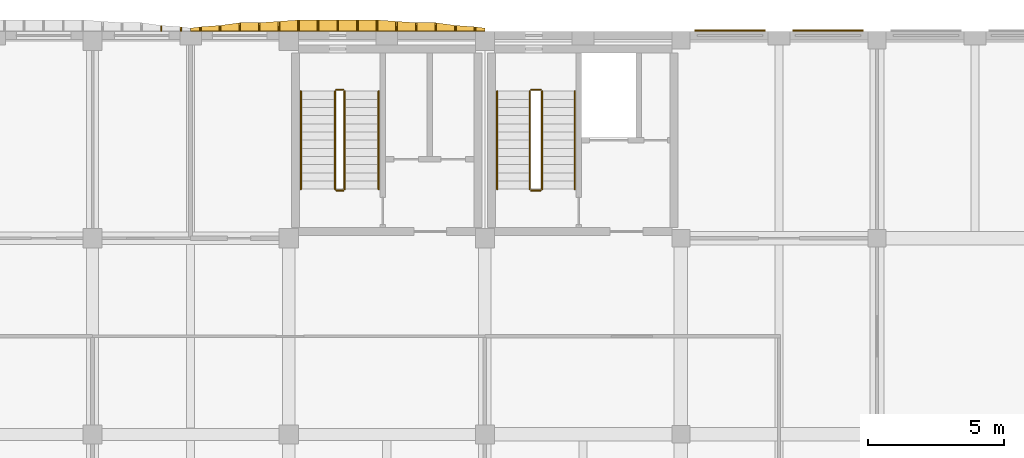
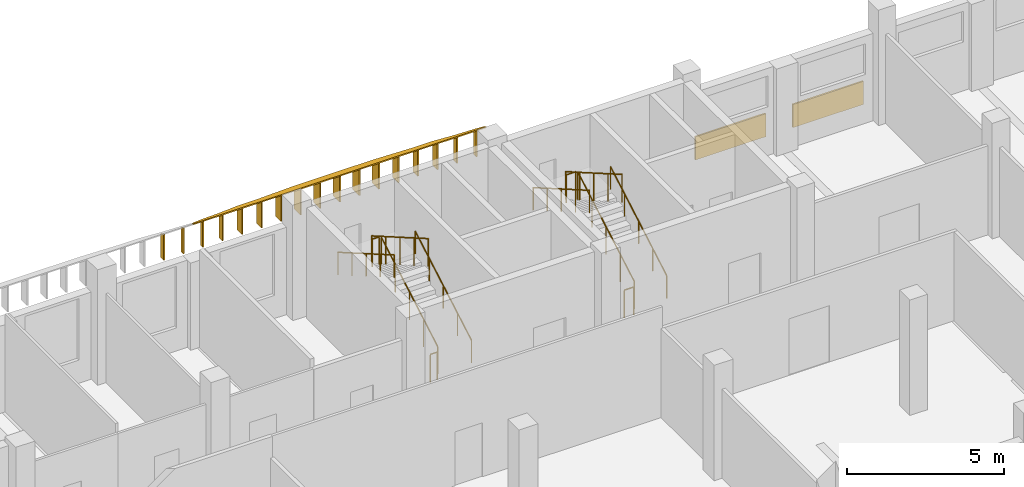
# One storey, part 55 of 59: 20 shading devices, 12 railings.
"""IFC4 building model written with IfcOpenShell, lengths in metres."""

from ifc_helpers import new_model, si_unit, direction, frame, origin, origin_2d, place, context, subcontext, project, spatial, polyline, rectangle, circle, outline, extrude, material, layer, layer_set, type_object, element, save


model = new_model("IFC4")

# Units and contexts
model_context = context("Model", 3, precision=1e-05, world=origin(), true_north=direction((0.0, 1.0)))
body_context = subcontext(model_context, "Body", "Model", "MODEL_VIEW")
ifc_project = project(units=[si_unit("LENGTHUNIT", "METRE"), si_unit("AREAUNIT", "SQUARE_METRE"), si_unit("VOLUMEUNIT", "CUBIC_METRE"), si_unit("PLANEANGLEUNIT", "RADIAN"), si_unit("MASSUNIT", "GRAM", prefix="KILO")], contexts=[model_context])

# Site, building, storey
site_placement = place(None, origin())
site = spatial("IfcSite", under=ifc_project, at=site_placement, CompositionType="ELEMENT")
building_placement = place(site_placement, origin())
building = spatial("IfcBuilding", under=site, at=building_placement, Name="Ussher Court Research Institute", CompositionType="ELEMENT")
storey_placement = place(building_placement, frame((0.0, 0.0, 5.39990234375)))
storey = spatial("IfcBuildingStorey", under=building, at=storey_placement, Name="L01", CompositionType="ELEMENT", Elevation=5.39990234375)

# Shading devices
ifc_material_1 = material(Name="Bronze anodised aluminium", Category="aluminium")
ifc_layer_1 = layer(ifc_material_1, 0.050048828125)
ifc_layer_set_1 = layer_set([ifc_layer_1], Name="Bronze anodised aluminium")
shading_device_type_1 = type_object("IfcShadingDeviceType", Name="Brim blade 150 mm deep 1000 mm high canted 20 deg dry", PredefinedType="USERDEFINED", material=ifc_layer_set_1)
for number, where, z_axis, x_axis, name in (
    (1, (71.0400390625, 90.800048828125, 3.4501953125), (0.0, 0.0, 1.0), (0.0, 1.0, 0.0), "Brim blade BS16 L01"),
    (2, (71.760009765625, 90.800048828125, 3.4501953125), (0.0, 0.0, 1.0), (0.0, 1.0, 0.0), "Brim blade BS16 L01"),
    (3, (81.840087890625, 90.800048828125, 3.4501953125), (0.0, 0.0, 1.0), (0.0, 1.0, 0.0), "Brim blade BS16 L01"),
):
    element("IfcShadingDevice", number, at=place(storey_placement, frame(where, z_axis=z_axis, x_axis=x_axis)), inside=storey, type_object=shading_device_type_1, Name=name, ObjectType="BLADE", PredefinedType="USERDEFINED", context=body_context, shape_type="SweptSolid", body=[
        extrude(outline(polyline([(0.0, 0.0), (0.14990234375, 0.0), (0.14990234375, 0.9453125), (0.0, 1.0), (0.0, 0.0)])), frame((0.0, 0.02490234375, 0.0), z_axis=(0.0, -1.0, 0.0), x_axis=(1.0, 0.0, 0.0)), (0.0, 0.0, 1.0), 0.050048828125),
    ])
ifc_material_2 = material(Name="Bronze anodised aluminium", Category="aluminium")
ifc_layer_2 = layer(ifc_material_2, 0.050048828125)
ifc_layer_set_2 = layer_set([ifc_layer_2], Name="Bronze anodised aluminium")
shading_device_type_2 = type_object("IfcShadingDeviceType", Name="Brim blade 200 mm deep 1000 mm high canted 20 deg dry", PredefinedType="USERDEFINED", material=ifc_layer_set_2)
for number, where, z_axis, x_axis, name in (
    (4, (70.320068359375, 90.800048828125, 3.4501953125), (0.0, 0.0, 1.0), (0.0, 1.0, 0.0), "Brim blade BS15 L01"),
    (5, (72.47998046875, 90.800048828125, 3.4501953125), (0.0, 0.0, 1.0), (0.0, 1.0, 0.0), "Brim blade BS15 L01"),
    (6, (81.1201171875, 90.800048828125, 3.4501953125), (0.0, 0.0, 1.0), (0.0, 1.0, 0.0), "Brim blade BS15 L01"),
):
    element("IfcShadingDevice", number, at=place(storey_placement, frame(where, z_axis=z_axis, x_axis=x_axis)), inside=storey, type_object=shading_device_type_2, Name=name, ObjectType="BLADE", PredefinedType="USERDEFINED", context=body_context, shape_type="SweptSolid", body=[
        extrude(outline(polyline([(0.0, 0.0), (0.199951171875, 0.0), (0.199951171875, 0.927001953125), (0.0, 1.0), (0.0, 0.0)])), frame((0.0, 0.02490234375, 0.0), z_axis=(0.0, -1.0, 0.0), x_axis=(1.0, 0.0, 0.0)), (0.0, 0.0, 1.0), 0.050048828125),
    ])
ifc_material_3 = material(Name="Bronze anodised aluminium", Category="aluminium")
ifc_layer_3 = layer(ifc_material_3, 0.050048828125)
ifc_layer_set_3 = layer_set([ifc_layer_3], Name="Bronze anodised aluminium")
shading_device_type_3 = type_object("IfcShadingDeviceType", Name="Brim blade 300 mm deep 1000 mm high canted 20 deg dry", PredefinedType="USERDEFINED", material=ifc_layer_set_3)
for number, where, z_axis, x_axis, name in (
    (7, (73.199951171875, 90.800048828125, 3.4501953125), (0.0, 0.0, 1.0), (0.0, 1.0, 0.0), "Brim blade BS13 L01"),
    (8, (73.919921875, 90.800048828125, 3.4501953125), (0.0, 0.0, 1.0), (0.0, 1.0, 0.0), "Brim blade BS13 L01"),
    (9, (79.679931640625, 90.800048828125, 3.4501953125), (0.0, 0.0, 1.0), (0.0, 1.0, 0.0), "Brim blade BS13 L01"),
    (10, (80.39990234375, 90.800048828125, 3.4501953125), (0.0, 0.0, 1.0), (0.0, 1.0, 0.0), "Brim blade BS13 L01"),
):
    element("IfcShadingDevice", number, at=place(storey_placement, frame(where, z_axis=z_axis, x_axis=x_axis)), inside=storey, type_object=shading_device_type_3, Name=name, ObjectType="BLADE", PredefinedType="USERDEFINED", context=body_context, shape_type="SweptSolid", body=[
        extrude(outline(polyline([(0.0, 0.0), (0.300048828125, 0.0), (0.300048828125, 0.890625), (0.0, 1.0), (0.0, 0.0)])), frame((0.0, 0.02490234375, 0.0), z_axis=(0.0, -1.0, 0.0), x_axis=(1.0, 0.0, 0.0)), (0.0, 0.0, 1.0), 0.050048828125),
    ])
ifc_material_4 = material(Name="Bronze anodised aluminium", Category="aluminium")
ifc_layer_4 = layer(ifc_material_4, 0.050048828125)
ifc_layer_set_4 = layer_set([ifc_layer_4], Name="Bronze anodised aluminium")
shading_device_type_4 = type_object("IfcShadingDeviceType", Name="Brim blade 350 mm deep 1000 mm high canted 20 deg dry", PredefinedType="USERDEFINED", material=ifc_layer_set_4)
for number, where, z_axis, x_axis, name in (
    (11, (74.639892578125, 90.800048828125, 3.4501953125), (0.0, 0.0, 1.0), (0.0, 1.0, 0.0), "Brim blade BS12 L01"),
    (12, (78.9599609375, 90.800048828125, 3.4501953125), (0.0, 0.0, 1.0), (0.0, 1.0, 0.0), "Brim blade BS12 L01"),
):
    element("IfcShadingDevice", number, at=place(storey_placement, frame(where, z_axis=z_axis, x_axis=x_axis)), inside=storey, type_object=shading_device_type_4, Name=name, ObjectType="BLADE", PredefinedType="USERDEFINED", context=body_context, shape_type="SweptSolid", body=[
        extrude(outline(polyline([(0.0, 0.0), (0.349853515625, 0.0), (0.35009765625, 0.87255859375), (0.0, 1.0), (0.0, 0.0)])), frame((0.0, 0.02490234375, 0.0), z_axis=(0.0, -1.0, 0.0), x_axis=(1.0, 0.0, 0.0)), (0.0, 0.0, 1.0), 0.050048828125),
    ])
ifc_material_5 = material(Name="Bronze anodised aluminium", Category="aluminium")
ifc_layer_5 = layer(ifc_material_5, 0.050048828125)
ifc_layer_set_5 = layer_set([ifc_layer_5], Name="Bronze anodised aluminium")
shading_device_type_5 = type_object("IfcShadingDeviceType", Name="Brim blade 400 mm deep 1000 mm high canted 20 deg dry", PredefinedType="USERDEFINED", material=ifc_layer_set_5)
for number, where, z_axis, x_axis, name in (
    (13, (75.360107421875, 90.800048828125, 3.4501953125), (0.0, 0.0, 1.0), (0.0, 1.0, 0.0), "Brim blade BS11 L01"),
    (14, (76.080078125, 90.800048828125, 3.4501953125), (0.0, 0.0, 1.0), (0.0, 1.0, 0.0), "Brim blade BS11 L01"),
    (15, (76.800048828125, 90.800048828125, 3.4501953125), (0.0, 0.0, 1.0), (0.0, 1.0, 0.0), "Brim blade BS11 L01"),
    (16, (77.52001953125, 90.800048828125, 3.4501953125), (0.0, 0.0, 1.0), (0.0, 1.0, 0.0), "Brim blade BS11 L01"),
    (17, (78.239990234375, 90.800048828125, 3.4501953125), (0.0, 0.0, 1.0), (0.0, 1.0, 0.0), "Brim blade BS11 L01"),
):
    element("IfcShadingDevice", number, at=place(storey_placement, frame(where, z_axis=z_axis, x_axis=x_axis)), inside=storey, type_object=shading_device_type_5, Name=name, ObjectType="BLADE", PredefinedType="USERDEFINED", context=body_context, shape_type="SweptSolid", body=[
        extrude(outline(polyline([(0.0, 0.0), (0.39990234375, 0.0), (0.39990234375, 0.854248046875), (0.0, 1.0), (0.0, 0.0)])), frame((0.0, 0.02490234375, 0.0), z_axis=(0.0, -1.0, 0.0), x_axis=(1.0, 0.0, 0.0)), (0.0, 0.0, 1.0), 0.050048828125),
    ])
ifc_material_6 = material(Name="Bronze anodised aluminium", Category="aluminium")
ifc_layer_6 = layer(ifc_material_6, 0.0400390625)
ifc_layer_set_6 = layer_set([ifc_layer_6], Name="Bronze anodised aluminium")
shading_device_type_6 = type_object("IfcShadingDeviceType", Name="Brim visor sheet 40 mm canted 20 deg dry", PredefinedType="USERDEFINED", material=ifc_layer_set_6)
shading_device_placement = place(storey_placement, frame((71.39990234375, 90.813720703125, 4.48779296875), z_axis=(0.0, 0.342437439102, 0.939540632597), x_axis=(1.0, 0.0, 0.0)))
element("IfcShadingDevice", 18, at=shading_device_placement, inside=storey, type_object=shading_device_type_6, Name="Brim visor sheet BR2 L01", ObjectType="BRIM", PredefinedType="USERDEFINED", context=body_context, shape_type="SweptSolid", body=[
    extrude(outline(polyline([(0.0, 0.0), (10.800048828125, 0.0), (10.800048828125, 0.1065026459450868), (10.440185546875, 0.15956639032557793), (9.72021484375, 0.21285951474332424), (9.0, 0.319362160688411), (8.280029296875, 0.319362160688411), (7.56005859375, 0.3725716822157515), (6.840087890625, 0.42563542659624265), (6.1201171875, 0.42563542659624265), (5.400146484375, 0.42563542659624265), (4.68017578125, 0.42563542659624265), (3.960205078125, 0.42563542659624265), (3.239990234375, 0.3725716822157515), (2.52001953125, 0.319362160688411), (1.800048828125, 0.319362160688411), (1.080078125, 0.21285951474332424), (0.360107421875, 0.15956639032557793), (0.0, 0.1065026459450868), (0.0, 0.0)])), origin(), (0.0, 0.0, -1.0), 0.0400390625),
])
ifc_material_7 = material(Name="Aluminium louvre", Category="aluminium")
ifc_layer_7 = layer(ifc_material_7, 0.06005859375)
ifc_layer_set_7 = layer_set([ifc_layer_7], Name="Aluminium louvre")
shading_device_type_7 = type_object("IfcShadingDeviceType", Name="Louvre panel 2600x900", PredefinedType="USERDEFINED", material=ifc_layer_set_7)
for number, where, z_axis, x_axis, name in (
    (19, (91.199951171875, 90.830078125, 0.500244140625), (0.0, 0.0, 1.0), (1.0, 0.0, 0.0), "Louvre panel LV1 L01"),
    (20, (94.800048828125, 90.830078125, 0.500244140625), (0.0, 0.0, 1.0), (1.0, 0.0, 0.0), "Louvre panel LV1 L01"),
):
    element("IfcShadingDevice", number, at=place(storey_placement, frame(where, z_axis=z_axis, x_axis=x_axis)), inside=storey, type_object=shading_device_type_7, Name=name, ObjectType="LOUVRE", PredefinedType="USERDEFINED", context=body_context, shape_type="SweptSolid", body=[
        extrude(rectangle(XDim=2.60009765625, YDim=0.06005859375, at=origin_2d()), origin(), (0.0, 0.0, 1.0), 0.89990234375),
    ])

# Railings
ifc_material_8 = material(Name="Painted steel balustrade", Category="steel")
railing_type_1 = type_object("IfcRailingType", Name="Stair guard 1100 steel balustrade", PredefinedType="GUARDRAIL", material=ifc_material_8)
railing_1_placement = place(storey_placement, frame((84.300048828125, 85.0, 0.173095703125)))
element("IfcRailing", 21, at=railing_1_placement, inside=storey, type_object=railing_type_1, Name="L01 C1 stair guard 1", PredefinedType="GUARDRAIL", context=body_context, shape_type="SweptSolid", body=[
    extrude(circle(Radius=0.02392578125, at=origin_2d()), frame((0.0, 0.0, 1.076171875), z_axis=(0.0, 0.866193409371, 0.499708892819), x_axis=(-1.0, 0.0, 0.0)), (0.0, 0.0, 1.0), 4.15625),
    extrude(circle(Radius=0.02099609375, at=origin_2d()), origin(), (0.0, 0.0, 1.0), 1.052001953125),
    extrude(circle(Radius=0.02099609375, at=origin_2d()), frame((0.0, 0.89990234375, 0.519287109375)), (0.0, 0.0, 1.0), 1.052001953125),
    extrude(circle(Radius=0.02099609375, at=origin_2d()), frame((0.0, 1.800048828125, 1.03857421875)), (0.0, 0.0, 1.0), 1.052001953125),
    extrude(circle(Radius=0.02099609375, at=origin_2d()), frame((0.0, 2.7001953125, 1.5576171875)), (0.0, 0.0, 1.0), 1.052001953125),
    extrude(circle(Radius=0.02099609375, at=origin_2d()), frame((0.0, 3.60009765625, 2.076904296875)), (0.0, 0.0, 1.0), 1.052001953125),
])
railing_2_placement = place(storey_placement, frame((84.25, 88.64990234375, 2.25)))
element("IfcRailing", 22, at=railing_2_placement, inside=storey, type_object=railing_type_1, Name="L01 C1 stair guard 2", PredefinedType="GUARDRAIL", context=body_context, shape_type="SweptSolid", body=[
    extrude(circle(Radius=0.02392578125, at=origin_2d()), frame((0.0, 0.0, 1.076171875), z_axis=(-1.0, 0.0, 0.0), x_axis=(0.0, -1.0, 0.0)), (0.0, 0.0, 1.0), 0.35009765625),
    extrude(circle(Radius=0.02099609375, at=origin_2d()), origin(), (0.0, 0.0, 1.0), 1.052001953125),
    extrude(circle(Radius=0.02099609375, at=origin_2d()), frame((-0.35009765625, 0.0, 0.0)), (0.0, 0.0, 1.0), 1.052001953125),
])
railing_3_placement = place(storey_placement, frame((83.85009765625, 88.60009765625, 2.423095703125)))
element("IfcRailing", 23, at=railing_3_placement, inside=storey, type_object=railing_type_1, Name="L01 C1 stair guard 3", PredefinedType="GUARDRAIL", context=body_context, shape_type="SweptSolid", body=[
    extrude(circle(Radius=0.02392578125, at=origin_2d()), frame((0.0, 0.0, 1.076171875), z_axis=(0.0, -0.866193409371, 0.499708892819), x_axis=(1.0, 0.0, 0.0)), (0.0, 0.0, 1.0), 4.15625),
    extrude(circle(Radius=0.02099609375, at=origin_2d()), origin(), (0.0, 0.0, 1.0), 1.052001953125),
    extrude(circle(Radius=0.02099609375, at=origin_2d()), frame((0.0, -0.89990234375, 0.519287109375)), (0.0, 0.0, 1.0), 1.052001953125),
    extrude(circle(Radius=0.02099609375, at=origin_2d()), frame((0.0, -1.800048828125, 1.03857421875)), (0.0, 0.0, 1.0), 1.052001953125),
    extrude(circle(Radius=0.02099609375, at=origin_2d()), frame((0.0, -2.7001953125, 1.5576171875)), (0.0, 0.0, 1.0), 1.052001953125),
    extrude(circle(Radius=0.02099609375, at=origin_2d()), frame((0.0, -3.60009765625, 2.076904296875)), (0.0, 0.0, 1.0), 1.052001953125),
])
railing_4_placement = place(storey_placement, frame((84.25, 84.949951171875, 0.0)))
element("IfcRailing", 24, at=railing_4_placement, inside=storey, type_object=railing_type_1, Name="L01 C1 stair guard 4", PredefinedType="GUARDRAIL", context=body_context, shape_type="SweptSolid", body=[
    extrude(circle(Radius=0.02392578125, at=origin_2d()), frame((0.0, 0.0, 1.076171875), z_axis=(-1.0, 0.0, 0.0), x_axis=(0.0, -1.0, 0.0)), (0.0, 0.0, 1.0), 0.35009765625),
    extrude(circle(Radius=0.02099609375, at=origin_2d()), origin(), (0.0, 0.0, 1.0), 1.052001953125),
    extrude(circle(Radius=0.02099609375, at=origin_2d()), frame((-0.35009765625, 0.0, 0.0)), (0.0, 0.0, 1.0), 1.052001953125),
])
railing_5_placement = place(storey_placement, frame((77.050048828125, 85.0, 0.173095703125)))
element("IfcRailing", 25, at=railing_5_placement, inside=storey, type_object=railing_type_1, Name="L01 D3 stair guard 1", PredefinedType="GUARDRAIL", context=body_context, shape_type="SweptSolid", body=[
    extrude(circle(Radius=0.02392578125, at=origin_2d()), frame((0.0, 0.0, 1.076171875), z_axis=(0.0, 0.866193409371, 0.499708892819), x_axis=(-1.0, 0.0, 0.0)), (0.0, 0.0, 1.0), 4.15625),
    extrude(circle(Radius=0.02099609375, at=origin_2d()), origin(), (0.0, 0.0, 1.0), 1.052001953125),
    extrude(circle(Radius=0.02099609375, at=origin_2d()), frame((0.0, 0.89990234375, 0.519287109375)), (0.0, 0.0, 1.0), 1.052001953125),
    extrude(circle(Radius=0.02099609375, at=origin_2d()), frame((0.0, 1.800048828125, 1.03857421875)), (0.0, 0.0, 1.0), 1.052001953125),
    extrude(circle(Radius=0.02099609375, at=origin_2d()), frame((0.0, 2.7001953125, 1.5576171875)), (0.0, 0.0, 1.0), 1.052001953125),
    extrude(circle(Radius=0.02099609375, at=origin_2d()), frame((0.0, 3.60009765625, 2.076904296875)), (0.0, 0.0, 1.0), 1.052001953125),
])
railing_6_placement = place(storey_placement, frame((77.0, 88.64990234375, 2.25)))
element("IfcRailing", 26, at=railing_6_placement, inside=storey, type_object=railing_type_1, Name="L01 D3 stair guard 2", PredefinedType="GUARDRAIL", context=body_context, shape_type="SweptSolid", body=[
    extrude(circle(Radius=0.02392578125, at=origin_2d()), frame((0.0, 0.0, 1.076171875), z_axis=(-1.0, 0.0, 0.0), x_axis=(0.0, -1.0, 0.0)), (0.0, 0.0, 1.0), 0.25),
    extrude(circle(Radius=0.02099609375, at=origin_2d()), origin(), (0.0, 0.0, 1.0), 1.052001953125),
    extrude(circle(Radius=0.02099609375, at=origin_2d()), frame((-0.25, 0.0, 0.0)), (0.0, 0.0, 1.0), 1.052001953125),
])
railing_7_placement = place(storey_placement, frame((76.699951171875, 88.60009765625, 2.423095703125)))
element("IfcRailing", 27, at=railing_7_placement, inside=storey, type_object=railing_type_1, Name="L01 D3 stair guard 3", PredefinedType="GUARDRAIL", context=body_context, shape_type="SweptSolid", body=[
    extrude(circle(Radius=0.02392578125, at=origin_2d()), frame((0.0, 0.0, 1.076171875), z_axis=(0.0, -0.866193409371, 0.499708892819), x_axis=(1.0, 0.0, 0.0)), (0.0, 0.0, 1.0), 4.15625),
    extrude(circle(Radius=0.02099609375, at=origin_2d()), origin(), (0.0, 0.0, 1.0), 1.052001953125),
    extrude(circle(Radius=0.02099609375, at=origin_2d()), frame((0.0, -0.89990234375, 0.519287109375)), (0.0, 0.0, 1.0), 1.052001953125),
    extrude(circle(Radius=0.02099609375, at=origin_2d()), frame((0.0, -1.800048828125, 1.03857421875)), (0.0, 0.0, 1.0), 1.052001953125),
    extrude(circle(Radius=0.02099609375, at=origin_2d()), frame((0.0, -2.7001953125, 1.5576171875)), (0.0, 0.0, 1.0), 1.052001953125),
    extrude(circle(Radius=0.02099609375, at=origin_2d()), frame((0.0, -3.60009765625, 2.076904296875)), (0.0, 0.0, 1.0), 1.052001953125),
])
railing_8_placement = place(storey_placement, frame((77.0, 84.949951171875, 0.0)))
element("IfcRailing", 28, at=railing_8_placement, inside=storey, type_object=railing_type_1, Name="L01 D3 stair guard 4", PredefinedType="GUARDRAIL", context=body_context, shape_type="SweptSolid", body=[
    extrude(circle(Radius=0.02392578125, at=origin_2d()), frame((0.0, 0.0, 1.076171875), z_axis=(-1.0, 0.0, 0.0), x_axis=(0.0, -1.0, 0.0)), (0.0, 0.0, 1.0), 0.25),
    extrude(circle(Radius=0.02099609375, at=origin_2d()), origin(), (0.0, 0.0, 1.0), 1.052001953125),
    extrude(circle(Radius=0.02099609375, at=origin_2d()), frame((-0.25, 0.0, 0.0)), (0.0, 0.0, 1.0), 1.052001953125),
])
ifc_material_9 = material(Name="Painted steel handrail", Category="steel")
railing_type_2 = type_object("IfcRailingType", Name="Stair handrail 900 steel", PredefinedType="HANDRAIL", material=ifc_material_9)
railing_9_placement = place(storey_placement, frame((85.5, 85.0, 0.173095703125)))
element("IfcRailing", 29, at=railing_9_placement, inside=storey, type_object=railing_type_2, Name="L01 C1 stair handrail 1", PredefinedType="HANDRAIL", context=body_context, shape_type="SweptSolid", body=[
    extrude(circle(Radius=0.02392578125, at=origin_2d()), frame((0.0, 0.0, 0.8759765625), z_axis=(0.0, 0.866193409371, 0.499708892819), x_axis=(-1.0, 0.0, 0.0)), (0.0, 0.0, 1.0), 4.15625),
    extrude(circle(Radius=0.02099609375, at=origin_2d()), origin(), (0.0, 0.0, 1.0), 0.851806640625),
    extrude(circle(Radius=0.02099609375, at=origin_2d()), frame((0.0, 0.89990234375, 0.519287109375)), (0.0, 0.0, 1.0), 0.851806640625),
    extrude(circle(Radius=0.02099609375, at=origin_2d()), frame((0.0, 1.800048828125, 1.03857421875)), (0.0, 0.0, 1.0), 0.851806640625),
    extrude(circle(Radius=0.02099609375, at=origin_2d()), frame((0.0, 2.7001953125, 1.5576171875)), (0.0, 0.0, 1.0), 0.851806640625),
    extrude(circle(Radius=0.02099609375, at=origin_2d()), frame((0.0, 3.60009765625, 2.076904296875)), (0.0, 0.0, 1.0), 0.851806640625),
])
railing_10_placement = place(storey_placement, frame((82.64990234375, 88.60009765625, 2.423095703125)))
element("IfcRailing", 30, at=railing_10_placement, inside=storey, type_object=railing_type_2, Name="L01 C1 stair handrail 2", PredefinedType="HANDRAIL", context=body_context, shape_type="SweptSolid", body=[
    extrude(circle(Radius=0.02392578125, at=origin_2d()), frame((0.0, 0.0, 0.8759765625), z_axis=(0.0, -0.866193409371, 0.499708892819), x_axis=(1.0, 0.0, 0.0)), (0.0, 0.0, 1.0), 4.15625),
    extrude(circle(Radius=0.02099609375, at=origin_2d()), origin(), (0.0, 0.0, 1.0), 0.851806640625),
    extrude(circle(Radius=0.02099609375, at=origin_2d()), frame((0.0, -0.89990234375, 0.519287109375)), (0.0, 0.0, 1.0), 0.851806640625),
    extrude(circle(Radius=0.02099609375, at=origin_2d()), frame((0.0, -1.800048828125, 1.03857421875)), (0.0, 0.0, 1.0), 0.851806640625),
    extrude(circle(Radius=0.02099609375, at=origin_2d()), frame((0.0, -2.7001953125, 1.5576171875)), (0.0, 0.0, 1.0), 0.851806640625),
    extrude(circle(Radius=0.02099609375, at=origin_2d()), frame((0.0, -3.60009765625, 2.076904296875)), (0.0, 0.0, 1.0), 0.851806640625),
])
railing_11_placement = place(storey_placement, frame((78.300048828125, 85.0, 0.173095703125)))
element("IfcRailing", 31, at=railing_11_placement, inside=storey, type_object=railing_type_2, Name="L01 D3 stair handrail 1", PredefinedType="HANDRAIL", context=body_context, shape_type="SweptSolid", body=[
    extrude(circle(Radius=0.02392578125, at=origin_2d()), frame((0.0, 0.0, 0.8759765625), z_axis=(0.0, 0.866193409371, 0.499708892819), x_axis=(-1.0, 0.0, 0.0)), (0.0, 0.0, 1.0), 4.15625),
    extrude(circle(Radius=0.02099609375, at=origin_2d()), origin(), (0.0, 0.0, 1.0), 0.851806640625),
    extrude(circle(Radius=0.02099609375, at=origin_2d()), frame((0.0, 0.89990234375, 0.519287109375)), (0.0, 0.0, 1.0), 0.851806640625),
    extrude(circle(Radius=0.02099609375, at=origin_2d()), frame((0.0, 1.800048828125, 1.03857421875)), (0.0, 0.0, 1.0), 0.851806640625),
    extrude(circle(Radius=0.02099609375, at=origin_2d()), frame((0.0, 2.7001953125, 1.5576171875)), (0.0, 0.0, 1.0), 0.851806640625),
    extrude(circle(Radius=0.02099609375, at=origin_2d()), frame((0.0, 3.60009765625, 2.076904296875)), (0.0, 0.0, 1.0), 0.851806640625),
])
railing_12_placement = place(storey_placement, frame((75.449951171875, 88.60009765625, 2.423095703125)))
element("IfcRailing", 32, at=railing_12_placement, inside=storey, type_object=railing_type_2, Name="L01 D3 stair handrail 2", PredefinedType="HANDRAIL", context=body_context, shape_type="SweptSolid", body=[
    extrude(circle(Radius=0.02392578125, at=origin_2d()), frame((0.0, 0.0, 0.8759765625), z_axis=(0.0, -0.866193409371, 0.499708892819), x_axis=(1.0, 0.0, 0.0)), (0.0, 0.0, 1.0), 4.15625),
    extrude(circle(Radius=0.02099609375, at=origin_2d()), origin(), (0.0, 0.0, 1.0), 0.851806640625),
    extrude(circle(Radius=0.02099609375, at=origin_2d()), frame((0.0, -0.89990234375, 0.519287109375)), (0.0, 0.0, 1.0), 0.851806640625),
    extrude(circle(Radius=0.02099609375, at=origin_2d()), frame((0.0, -1.800048828125, 1.03857421875)), (0.0, 0.0, 1.0), 0.851806640625),
    extrude(circle(Radius=0.02099609375, at=origin_2d()), frame((0.0, -2.7001953125, 1.5576171875)), (0.0, 0.0, 1.0), 0.851806640625),
    extrude(circle(Radius=0.02099609375, at=origin_2d()), frame((0.0, -3.60009765625, 2.076904296875)), (0.0, 0.0, 1.0), 0.851806640625),
])

save(model, "model.ifc")
